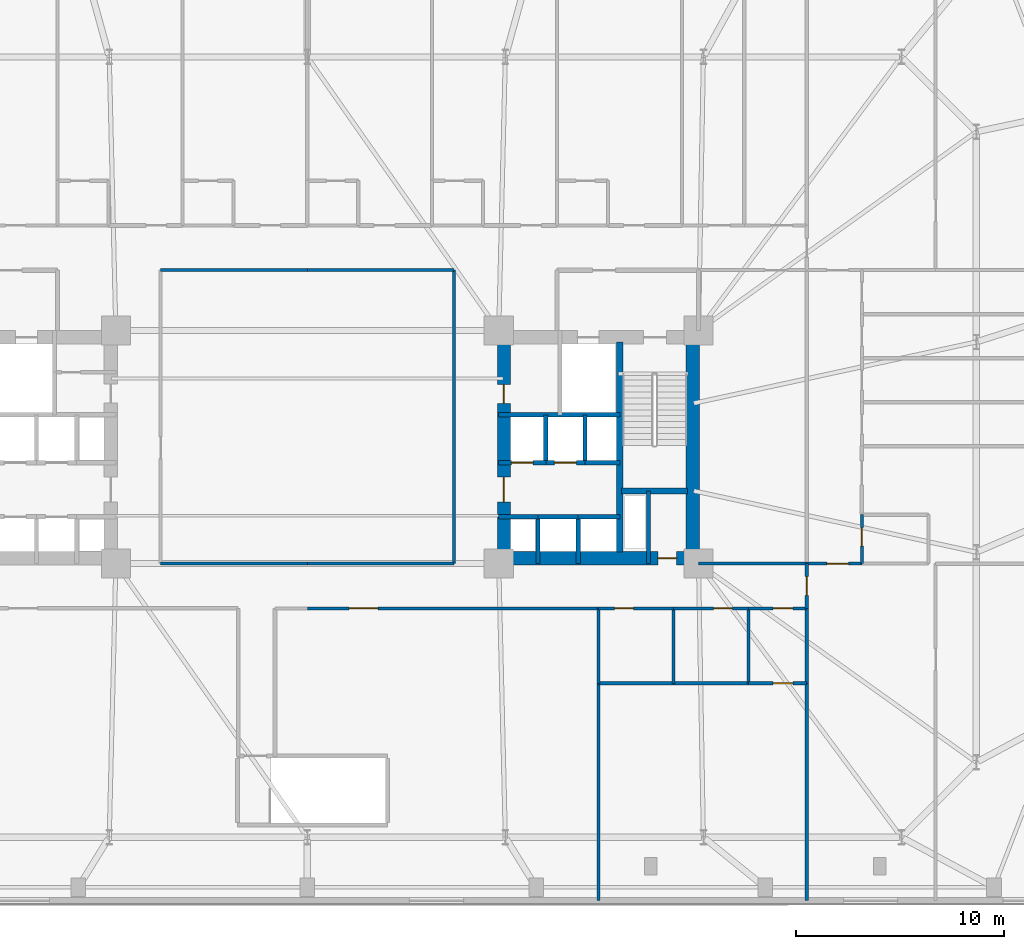
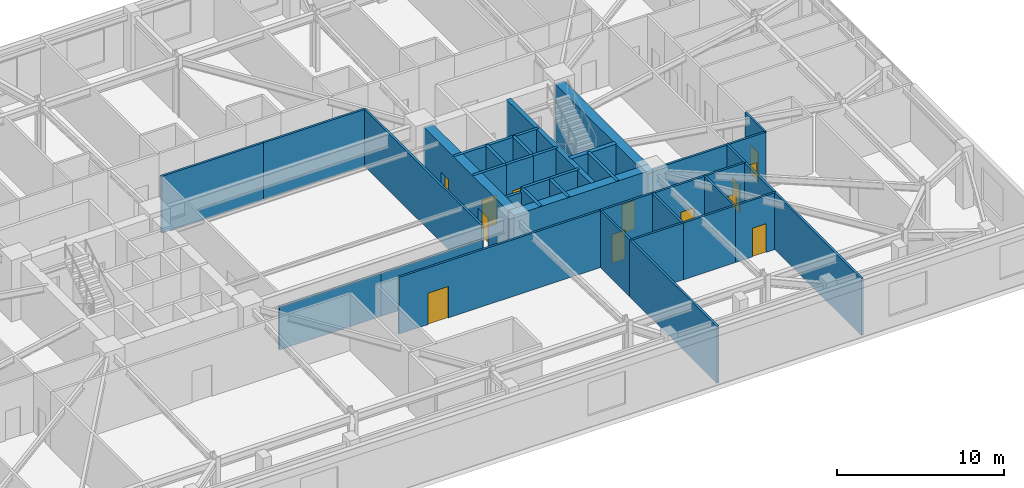
# One storey, part 13 of 21: 39 walls, 13 doors, 13 openings.
"""IFC4 building model written with IfcOpenShell, lengths in metres."""

from ifc_helpers import new_model, si_unit, direction, frame, frame_2d, origin, place, context, subcontext, project, spatial, rectangle, extrude, material, layer, layer_set, type_object, element, fill, save


model = new_model("IFC4")

# Units and contexts
model_context = context("Model", 3, precision=1e-05, world=origin(), true_north=direction((0.0, 1.0)))
body_context = subcontext(model_context, "Body", "Model", "MODEL_VIEW")
ifc_project = project(units=[si_unit("LENGTHUNIT", "METRE"), si_unit("AREAUNIT", "SQUARE_METRE"), si_unit("VOLUMEUNIT", "CUBIC_METRE"), si_unit("PLANEANGLEUNIT", "RADIAN"), si_unit("MASSUNIT", "GRAM", prefix="KILO")], contexts=[model_context])

# Site, building, storey
site_placement = place(None, origin())
site = spatial("IfcSite", under=ifc_project, at=site_placement, CompositionType="ELEMENT")
building_placement = place(site_placement, origin())
building = spatial("IfcBuilding", under=site, at=building_placement, Name="Qobustan Lattice House", CompositionType="ELEMENT")
storey_placement = place(building_placement, frame((0.0, 0.0, 22.5)))
storey = spatial("IfcBuildingStorey", under=building, at=storey_placement, Name="L05", CompositionType="ELEMENT", Elevation=22.5)

# Wall, opening, door
ifc_material_1 = material(Name="Concrete C60/75", Category="concrete")
ifc_layer_1 = layer(ifc_material_1, 0.639892578125)
ifc_layer_set_1 = layer_set([ifc_layer_1], Name="Concrete C60/75")
wall_type_1 = type_object("IfcWallType", Name="WAL-CORE-640", PredefinedType="SHEAR", material=ifc_layer_set_1)
wall_1_placement = place(storey_placement, frame((9.199951171875, -5.35009765625, 0.0), z_axis=(0.0, 0.0, 1.0), x_axis=(1.0, 0.0, 0.0)))
wall_1 = element("IfcWall", 1, at=wall_1_placement, inside=storey, type_object=wall_type_1, Name="L05 split-core shear wall CE-S", PredefinedType="SHEAR", context=body_context, shape_type="SweptSolid", body=[
    extrude(rectangle(XDim=9.60009765625, YDim=0.639892578125, at=frame_2d((4.800048828125, 0.0))), origin(), (0.0, 0.0, 1.0), 4.159912109375),
])
opening_1_placement = place(wall_1_placement, frame((7.64990234375, 0.0, 0.0)))
opening_1 = element("IfcOpeningElement", 2, at=opening_1_placement, cuts=wall_1, Name="Opening RD-01", PredefinedType="OPENING", context=body_context, shape_type="SweptSolid", body=[
    extrude(rectangle(XDim=0.89990234375, YDim=2.10009765625, at=frame_2d((0.449951171875, 1.050048828125))), frame((0.0, 0.329833984375, 0.0), z_axis=(0.0, -1.0, 0.0), x_axis=(1.0, 0.0, 0.0)), (0.0, 0.0, 1.0), 0.659912109375),
])
ifc_material_2 = material(Name="Persian walnut timber and steel frame door", Category="steel")
door_type_1 = type_object("IfcDoorType", Name="DOR-RISER-FD-900x2100", OperationType="NOTDEFINED", PredefinedType="DOOR", material=ifc_material_2)
door_1_placement = place(opening_1_placement, origin())
door_1 = element("IfcDoor", 3, at=door_1_placement, inside=storey, type_object=door_type_1, Name="L05 core service riser access door E", OperationType="SINGLE_SWING_RIGHT", OverallHeight=2.10009765625, OverallWidth=0.89990234375, PredefinedType="DOOR", context=body_context, shape_type="SweptSolid", body=[
    extrude(rectangle(XDim=0.89990234375, YDim=2.10009765625, at=frame_2d((0.449951171875, 1.050048828125))), frame((0.0, 0.02490234375, 0.0), z_axis=(0.0, -1.0, 0.0), x_axis=(1.0, 0.0, 0.0)), (0.0, 0.0, 1.0), 0.050048828125),
])
fill(opening_1, door_1)

# Wall, openings, doors
wall_2_placement = place(storey_placement, frame((9.449951171875, -5.050048828125, 0.0), z_axis=(0.0, 0.0, 1.0), x_axis=(0.0, 1.0, 0.0)))
wall_2 = element("IfcWall", 4, at=wall_2_placement, inside=storey, type_object=wall_type_1, Name="L05 split-core shear wall CE-W", PredefinedType="SHEAR", context=body_context, shape_type="SweptSolid", body=[
    extrude(rectangle(XDim=10.10009765625, YDim=0.639892578125, at=frame_2d((5.050048828125, 0.0))), origin(), (0.0, 0.0, 1.0), 4.159912109375),
])
opening_2_placement = place(wall_2_placement, frame((7.14990234375, 0.0, 0.0)))
opening_2 = element("IfcOpeningElement", 5, at=opening_2_placement, cuts=wall_2, Name="Opening RD-01", PredefinedType="OPENING", context=body_context, shape_type="SweptSolid", body=[
    extrude(rectangle(XDim=0.89990234375, YDim=2.10009765625, at=frame_2d((0.449951171875, 1.050048828125))), frame((0.0, 0.329833984375, 0.0), z_axis=(0.0, -1.0, 0.0), x_axis=(1.0, 0.0, 0.0)), (0.0, 0.0, 1.0), 0.659912109375),
])
opening_3_placement = place(wall_2_placement, frame((2.39990234375, 0.0, 0.0)))
opening_3 = element("IfcOpeningElement", 6, at=opening_3_placement, cuts=wall_2, Name="Opening FD-01", PredefinedType="OPENING", context=body_context, shape_type="SweptSolid", body=[
    extrude(rectangle(XDim=1.199951171875, YDim=2.14990234375, at=frame_2d((0.60009765625, 1.074951171875))), frame((0.0, 0.329833984375, 0.0), z_axis=(0.0, -1.0, 0.0), x_axis=(1.0, 0.0, 0.0)), (0.0, 0.0, 1.0), 0.659912109375),
])
ifc_material_3 = material(Name="Persian walnut timber and steel frame door", Category="steel")
door_type_2 = type_object("IfcDoorType", Name="DOR-LOBBY-FD-1200x2150", OperationType="NOTDEFINED", PredefinedType="DOOR", material=ifc_material_3)
door_2_placement = place(opening_3_placement, origin())
door_2 = element("IfcDoor", 7, at=door_2_placement, inside=storey, type_object=door_type_2, Name="L05 East passenger lift lobby fire door", OperationType="SINGLE_SWING_RIGHT", OverallHeight=2.14990234375, OverallWidth=1.199951171875, PredefinedType="DOOR", context=body_context, shape_type="SweptSolid", body=[
    extrude(rectangle(XDim=1.199951171875, YDim=2.14990234375, at=frame_2d((0.60009765625, 1.074951171875))), frame((0.0, 0.02490234375, 0.0), z_axis=(0.0, -1.0, 0.0), x_axis=(1.0, 0.0, 0.0)), (0.0, 0.0, 1.0), 0.050048828125),
])
fill(opening_3, door_2)
door_3_placement = place(opening_2_placement, origin())
door_3 = element("IfcDoor", 8, at=door_3_placement, inside=storey, type_object=door_type_1, Name="L05 Housekeeping linen store fire door", OperationType="SINGLE_SWING_LEFT", OverallHeight=2.10009765625, OverallWidth=0.89990234375, PredefinedType="DOOR", context=body_context, shape_type="SweptSolid", body=[
    extrude(rectangle(XDim=0.89990234375, YDim=2.10009765625, at=frame_2d((0.449951171875, 1.050048828125))), frame((0.0, 0.02490234375, 0.0), z_axis=(0.0, -1.0, 0.0), x_axis=(1.0, 0.0, 0.0)), (0.0, 0.0, 1.0), 0.050048828125),
])
fill(opening_2, door_3)

# Walls
wall_3_placement = place(storey_placement, frame((18.530029296875, -5.050048828125, 0.0), z_axis=(0.0, 0.0, 1.0), x_axis=(0.0, 1.0, 0.0)))
element("IfcWall", 9, at=wall_3_placement, inside=storey, type_object=wall_type_1, Name="L05 split-core shear wall CE-E", PredefinedType="SHEAR", context=body_context, shape_type="SweptSolid", body=[
    extrude(rectangle(XDim=10.10009765625, YDim=0.639892578125, at=frame_2d((5.050048828125, 0.0))), origin(), (0.0, 0.0, 1.0), 4.159912109375),
])
ifc_material_4 = material(Name="Concrete C50/60", Category="concrete")
ifc_layer_2 = layer(ifc_material_4, 0.280029296875)
ifc_layer_set_2 = layer_set([ifc_layer_2], Name="Concrete C50/60")
wall_type_2 = type_object("IfcWallType", Name="WAL-CORE-SPINE-280", PredefinedType="SHEAR", material=ifc_layer_set_2)
wall_4_placement = place(storey_placement, frame((15.02001953125, -5.050048828125, 0.0), z_axis=(0.0, 0.0, 1.0), x_axis=(0.0, 1.0, 0.0)))
element("IfcWall", 10, at=wall_4_placement, inside=storey, type_object=wall_type_2, Name="L05 split-core shear wall CE-M", PredefinedType="SHEAR", context=body_context, shape_type="SweptSolid", body=[
    extrude(rectangle(XDim=10.10009765625, YDim=0.300048828125, at=frame_2d((5.050048828125, 0.0))), origin(), (0.0, 0.0, 1.0), 4.159912109375),
])
wall_5_placement = place(storey_placement, frame((15.10009765625, -2.110107421875, 0.0), z_axis=(0.0, 0.0, 1.0), x_axis=(1.0, 0.0, 0.0)))
element("IfcWall", 11, at=wall_5_placement, inside=storey, type_object=wall_type_2, Name="L05 split-core shear wall CE-ST", PredefinedType="SHEAR", context=body_context, shape_type="SweptSolid", body=[
    extrude(rectangle(XDim=3.179931640625, YDim=0.300048828125, at=frame_2d((1.58984375, 0.0))), origin(), (0.0, 0.0, 1.0), 4.159912109375),
])
ifc_material_5 = material(Name="Acoustic twin-stud gypsum partition", Category="gypsum")
ifc_layer_3 = layer(ifc_material_5, 0.14990234375)
ifc_layer_set_3 = layer_set([ifc_layer_3], Name="Acoustic twin-stud gypsum partition")
wall_type_3 = type_object("IfcWallType", Name="WAL-PART-150", PredefinedType="PARTITIONING", material=ifc_layer_set_3)
for number, where, z_axis, x_axis, name in (
    (12, (0.0, 8.5, 0.0), (0.0, 0.0, 1.0), (-1.0, 0.0, 0.0), "L05 interior partition 47"),
    (13, (7.050048828125, 8.5, 0.0), (0.0, 0.0, 1.0), (-1.0, 0.0, 0.0), "L05 interior partition 58"),
):
    element("IfcWall", number, at=place(storey_placement, frame(where, z_axis=z_axis, x_axis=x_axis)), inside=storey, type_object=wall_type_3, Name=name, PredefinedType="PARTITIONING", context=body_context, shape_type="SweptSolid", body=[
        extrude(rectangle(XDim=7.050048828125, YDim=0.14990234375, at=frame_2d((3.52490234375, 0.0))), origin(), (0.0, 0.0, 1.0), 4.159912109375),
    ])
wall_6_placement = place(storey_placement, frame((-7.050048828125, -5.60009765625, 0.0), z_axis=(0.0, 0.0, 1.0), x_axis=(1.0, 0.0, 0.0)))
element("IfcWall", 14, at=wall_6_placement, inside=storey, type_object=wall_type_3, Name="L05 interior partition 63", PredefinedType="PARTITIONING", context=body_context, shape_type="SweptSolid", body=[
    extrude(rectangle(XDim=7.050048828125, YDim=0.14990234375, at=frame_2d((3.52490234375, 0.0))), origin(), (0.0, 0.0, 1.0), 3.136962890625),
])

# Wall, opening, door
wall_7_placement = place(storey_placement, frame((24.0, -5.60009765625, 0.0), z_axis=(0.0, 0.0, 1.0), x_axis=(0.0, -1.0, 0.0)))
wall_7 = element("IfcWall", 15, at=wall_7_placement, inside=storey, type_object=wall_type_3, Name="L05 interior partition 64", PredefinedType="PARTITIONING", context=body_context, shape_type="SweptSolid", body=[
    extrude(rectangle(XDim=2.14990234375, YDim=0.14990234375, at=frame_2d((1.074951171875, 0.0))), origin(), (0.0, 0.0, 1.0), 4.159912109375),
])
opening_4_placement = place(wall_7_placement, frame((0.625, 0.0, 0.0)))
opening_4 = element("IfcOpeningElement", 16, at=opening_4_placement, cuts=wall_7, Name="Opening WD-01", PredefinedType="OPENING", context=body_context, shape_type="SweptSolid", body=[
    extrude(rectangle(XDim=0.89990234375, YDim=2.10009765625, at=frame_2d((0.449951171875, 1.050048828125))), frame((0.0, 0.0849609375, 0.0), z_axis=(0.0, -1.0, 0.0), x_axis=(1.0, 0.0, 0.0)), (0.0, 0.0, 1.0), 0.169921875),
])
ifc_material_6 = material(Name="Persian walnut timber and steel frame door", Category="steel")
door_type_3 = type_object("IfcDoorType", Name="DOR-WET-900x2100", OperationType="NOTDEFINED", PredefinedType="DOOR", material=ifc_material_6)
door_4_placement = place(opening_4_placement, origin())
door_4 = element("IfcDoor", 17, at=door_4_placement, inside=storey, type_object=door_type_3, Name="L05 South-east podium corridor to Reading seminar room L05ES door", OperationType="SINGLE_SWING_RIGHT", OverallHeight=2.10009765625, OverallWidth=0.89990234375, PredefinedType="DOOR", context=body_context, shape_type="SweptSolid", body=[
    extrude(rectangle(XDim=0.89990234375, YDim=2.10009765625, at=frame_2d((0.449951171875, 1.050048828125))), frame((0.0, 0.02490234375, 0.0), z_axis=(0.0, -1.0, 0.0), x_axis=(1.0, 0.0, 0.0)), (0.0, 0.0, 1.0), 0.050048828125),
])
fill(opening_4, door_4)

# Wall
wall_8_placement = place(storey_placement, frame((18.800048828125, -5.60009765625, 0.0), z_axis=(0.0, 0.0, 1.0), x_axis=(1.0, 0.0, 0.0)))
element("IfcWall", 18, at=wall_8_placement, inside=storey, type_object=wall_type_3, Name="L05 interior partition 65", PredefinedType="PARTITIONING", context=body_context, shape_type="SweptSolid", body=[
    extrude(rectangle(XDim=5.199951171875, YDim=0.14990234375, at=frame_2d((2.60009765625, 0.0))), origin(), (0.0, 0.0, 1.0), 4.159912109375),
])

# Wall, opening, door
wall_9_placement = place(storey_placement, frame((14.0, -7.75, 0.0), z_axis=(0.0, 0.0, 1.0), x_axis=(-1.0, 0.0, 0.0)))
wall_9 = element("IfcWall", 19, at=wall_9_placement, inside=storey, type_object=wall_type_3, Name="L05 interior partition 66", PredefinedType="PARTITIONING", context=body_context, shape_type="SweptSolid", body=[
    extrude(rectangle(XDim=14.0, YDim=0.14990234375, at=frame_2d((7.0, 0.0))), origin(), (0.0, 0.0, 1.0), 4.159912109375),
])
opening_5_placement = place(wall_9_placement, frame((10.590087890625, 0.0, 0.0)))
opening_5 = element("IfcOpeningElement", 20, at=opening_5_placement, cuts=wall_9, Name="Opening ID-04", PredefinedType="OPENING", context=body_context, shape_type="SweptSolid", body=[
    extrude(rectangle(XDim=1.39990234375, YDim=2.300048828125, at=frame_2d((0.699951171875, 1.14990234375))), frame((0.0, 0.0849609375, 0.0), z_axis=(0.0, -1.0, 0.0), x_axis=(1.0, 0.0, 0.0)), (0.0, 0.0, 1.0), 0.169921875),
])
ifc_material_7 = material(Name="Persian walnut timber and steel frame door", Category="steel")
door_type_4 = type_object("IfcDoorType", Name="DOR-POD-1400x2300", OperationType="NOTDEFINED", PredefinedType="DOOR", material=ifc_material_7)
door_5_placement = place(opening_5_placement, origin())
door_5 = element("IfcDoor", 21, at=door_5_placement, inside=storey, type_object=door_type_4, Name="L05 South-east podium corridor to Pre-show ticket lounge door", OperationType="SINGLE_SWING_LEFT", OverallHeight=2.300048828125, OverallWidth=1.39990234375, PredefinedType="DOOR", context=body_context, shape_type="SweptSolid", body=[
    extrude(rectangle(XDim=1.39990234375, YDim=2.300048828125, at=frame_2d((0.699951171875, 1.14990234375))), frame((0.0, 0.02490234375, 0.0), z_axis=(0.0, -1.0, 0.0), x_axis=(1.0, 0.0, 0.0)), (0.0, 0.0, 1.0), 0.050048828125),
])
fill(opening_5, door_5)

wall_10_placement = place(storey_placement, frame((24.0, -7.75, 0.0), z_axis=(0.0, 0.0, 1.0), x_axis=(-1.0, 0.0, 0.0)))
wall_10 = element("IfcWall", 22, at=wall_10_placement, inside=storey, type_object=wall_type_3, Name="L05 interior partition 69", PredefinedType="PARTITIONING", context=body_context, shape_type="SweptSolid", body=[
    extrude(rectangle(XDim=2.800048828125, YDim=0.14990234375, at=frame_2d((1.39990234375, 0.0))), origin(), (0.0, 0.0, 1.0), 4.159912109375),
])
opening_6_placement = place(wall_10_placement, frame((0.666259765625, 0.0, 0.0)))
opening_6 = element("IfcOpeningElement", 23, at=opening_6_placement, cuts=wall_10, Name="Opening ID-01", PredefinedType="OPENING", context=body_context, shape_type="SweptSolid", body=[
    extrude(rectangle(XDim=0.949951171875, YDim=2.10009765625, at=frame_2d((0.47509765625, 1.050048828125))), frame((0.0, 0.0849609375, 0.0), z_axis=(0.0, -1.0, 0.0), x_axis=(1.0, 0.0, 0.0)), (0.0, 0.0, 1.0), 0.169921875),
])
ifc_material_8 = material(Name="Persian walnut timber and steel frame door", Category="steel")
door_type_5 = type_object("IfcDoorType", Name="DOR-ROOM-950x2100", OperationType="NOTDEFINED", PredefinedType="DOOR", material=ifc_material_8)
door_6_placement = place(opening_6_placement, origin())
door_6 = element("IfcDoor", 24, at=door_6_placement, inside=storey, type_object=door_type_5, Name="L05 South-east podium corridor to Janitor supply store door", OperationType="SINGLE_SWING_RIGHT", OverallHeight=2.10009765625, OverallWidth=0.949951171875, PredefinedType="DOOR", context=body_context, shape_type="SweptSolid", body=[
    extrude(rectangle(XDim=0.949951171875, YDim=2.10009765625, at=frame_2d((0.47509765625, 1.050048828125))), frame((0.0, 0.02490234375, 0.0), z_axis=(0.0, -1.0, 0.0), x_axis=(1.0, 0.0, 0.0)), (0.0, 0.0, 1.0), 0.050048828125),
])
fill(opening_6, door_6)

# Walls
wall_11_placement = place(storey_placement, frame((0.0, -5.60009765625, 0.0), z_axis=(0.0, 0.0, 1.0), x_axis=(1.0, 0.0, 0.0)))
element("IfcWall", 25, at=wall_11_placement, inside=storey, type_object=wall_type_3, Name="L05 interior partition 70", PredefinedType="PARTITIONING", context=body_context, shape_type="SweptSolid", body=[
    extrude(rectangle(XDim=7.050048828125, YDim=0.14990234375, at=frame_2d((3.52490234375, 0.0))), origin(), (0.0, 0.0, 1.0), 3.136962890625),
])
wall_12_placement = place(storey_placement, frame((7.050048828125, -5.60009765625, 0.0), z_axis=(0.0, 0.0, 1.0), x_axis=(0.0, 1.0, 0.0)))
element("IfcWall", 26, at=wall_12_placement, inside=storey, type_object=wall_type_3, Name="L05 interior partition 72", PredefinedType="PARTITIONING", context=body_context, shape_type="SweptSolid", body=[
    extrude(rectangle(XDim=14.10009765625, YDim=0.14990234375, at=frame_2d((7.050048828125, 0.0))), origin(), (0.0, 0.0, 1.0), 4.159912109375),
])

# Wall, opening, door
wall_13_placement = place(storey_placement, frame((26.64990234375, -5.60009765625, 0.0), z_axis=(0.0, 0.0, 1.0), x_axis=(-1.0, 0.0, 0.0)))
wall_13 = element("IfcWall", 27, at=wall_13_placement, inside=storey, type_object=wall_type_3, Name="L05 interior partition 99", PredefinedType="PARTITIONING", context=body_context, shape_type="SweptSolid", body=[
    extrude(rectangle(XDim=2.64990234375, YDim=0.14990234375, at=frame_2d((1.324951171875, 0.0))), origin(), (0.0, 0.0, 1.0), 4.159912109375),
])
opening_7_placement = place(wall_13_placement, frame((0.635009765625, 0.0, 0.0)))
opening_7 = element("IfcOpeningElement", 28, at=opening_7_placement, cuts=wall_13, Name="Opening ID-02", PredefinedType="OPENING", context=body_context, shape_type="SweptSolid", body=[
    extrude(rectangle(XDim=1.050048828125, YDim=2.14990234375, at=frame_2d((0.52490234375, 1.074951171875))), frame((0.0, 0.0849609375, 0.0), z_axis=(0.0, -1.0, 0.0), x_axis=(1.0, 0.0, 0.0)), (0.0, 0.0, 1.0), 0.169921875),
])
ifc_material_9 = material(Name="Persian walnut timber and steel frame door", Category="steel")
door_type_6 = type_object("IfcDoorType", Name="DOR-STUDY-1050x2150", OperationType="NOTDEFINED", PredefinedType="DOOR", material=ifc_material_9)
door_7_placement = place(opening_7_placement, origin())
door_7 = element("IfcDoor", 29, at=door_7_placement, inside=storey, type_object=door_type_6, Name="L05 Residence entrance hall L05E to Reading seminar room L05ES door", OperationType="SINGLE_SWING_LEFT", OverallHeight=2.14990234375, OverallWidth=1.050048828125, PredefinedType="DOOR", context=body_context, shape_type="SweptSolid", body=[
    extrude(rectangle(XDim=1.050048828125, YDim=2.14990234375, at=frame_2d((0.52490234375, 1.074951171875))), frame((0.0, 0.02490234375, 0.0), z_axis=(0.0, -1.0, 0.0), x_axis=(1.0, 0.0, 0.0)), (0.0, 0.0, 1.0), 0.050048828125),
])
fill(opening_7, door_7)

# Walls
wall_14_placement = place(storey_placement, frame((24.0, -11.35009765625, 0.0), z_axis=(0.0, 0.0, 1.0), x_axis=(0.0, 1.0, 0.0)))
element("IfcWall", 30, at=wall_14_placement, inside=storey, type_object=wall_type_3, Name="L05 interior partition 113", PredefinedType="PARTITIONING", context=body_context, shape_type="SweptSolid", body=[
    extrude(rectangle(XDim=3.60009765625, YDim=0.14990234375, at=frame_2d((1.800048828125, 0.0))), origin(), (0.0, 0.0, 1.0), 4.159912109375),
])
for number, where, z_axis, x_axis, name in (
    (31, (24.0, -21.800048828125, 0.0), (0.0, 0.0, 1.0), (0.0, 1.0, 0.0), "L05 interior partition 114"),
    (32, (14.0, -11.35009765625, 0.0), (0.0, 0.0, 1.0), (0.0, -1.0, 0.0), "L05 interior partition 148"),
):
    element("IfcWall", number, at=place(storey_placement, frame(where, z_axis=z_axis, x_axis=x_axis)), inside=storey, type_object=wall_type_3, Name=name, PredefinedType="PARTITIONING", context=body_context, shape_type="SweptSolid", body=[
        extrude(rectangle(XDim=10.449951171875, YDim=0.14990234375, at=frame_2d((5.22509765625, 0.0))), origin(), (0.0, 0.0, 1.0), 4.159912109375),
    ])

# Wall, opening, door
wall_15_placement = place(storey_placement, frame((24.0, -11.35009765625, 0.0), z_axis=(0.0, 0.0, 1.0), x_axis=(-1.0, 0.0, 0.0)))
wall_15 = element("IfcWall", 33, at=wall_15_placement, inside=storey, type_object=wall_type_3, Name="L05 interior partition 153", PredefinedType="PARTITIONING", context=body_context, shape_type="SweptSolid", body=[
    extrude(rectangle(XDim=2.800048828125, YDim=0.14990234375, at=frame_2d((1.39990234375, 0.0))), origin(), (0.0, 0.0, 1.0), 4.159912109375),
])
opening_8_placement = place(wall_15_placement, frame((0.666259765625, 0.0, 0.0)))
opening_8 = element("IfcOpeningElement", 34, at=opening_8_placement, cuts=wall_15, Name="Opening ID-01", PredefinedType="OPENING", context=body_context, shape_type="SweptSolid", body=[
    extrude(rectangle(XDim=0.949951171875, YDim=2.10009765625, at=frame_2d((0.47509765625, 1.050048828125))), frame((0.0, 0.0849609375, 0.0), z_axis=(0.0, -1.0, 0.0), x_axis=(1.0, 0.0, 0.0)), (0.0, 0.0, 1.0), 0.169921875),
])
door_8_placement = place(opening_8_placement, origin())
door_8 = element("IfcDoor", 35, at=door_8_placement, inside=storey, type_object=door_type_5, Name="L05 Janitor supply store to Equipment and archive store door", OperationType="SINGLE_SWING_LEFT", OverallHeight=2.10009765625, OverallWidth=0.949951171875, PredefinedType="DOOR", context=body_context, shape_type="SweptSolid", body=[
    extrude(rectangle(XDim=0.949951171875, YDim=2.10009765625, at=frame_2d((0.47509765625, 1.050048828125))), frame((0.0, 0.02490234375, 0.0), z_axis=(0.0, -1.0, 0.0), x_axis=(1.0, 0.0, 0.0)), (0.0, 0.0, 1.0), 0.050048828125),
])
fill(opening_8, door_8)

# Walls
ifc_material_10 = material(Name="Concrete C40/50", Category="concrete")
ifc_layer_4 = layer(ifc_material_10, 0.199951171875)
ifc_layer_set_4 = layer_set([ifc_layer_4], Name="Concrete C40/50")
wall_type_4 = type_object("IfcWallType", Name="WAL-SHAFT-200", PredefinedType="PARTITIONING", material=ifc_layer_set_4)
wall_16_placement = place(storey_placement, frame((16.39990234375, -2.110107421875, 0.0), z_axis=(0.0, 0.0, 1.0), x_axis=(0.0, -1.0, 0.0)))
element("IfcWall", 36, at=wall_16_placement, inside=storey, type_object=wall_type_4, Name="L05 interior partition 20", PredefinedType="PARTITIONING", context=body_context, shape_type="SweptSolid", body=[
    extrude(rectangle(XDim=3.489990234375, YDim=0.199951171875, at=frame_2d((1.7451171875, 0.0))), origin(), (0.0, 0.0, 1.0), 4.159912109375),
])
wall_17_placement = place(storey_placement, frame((9.199951171875, -3.35009765625, 0.0), z_axis=(0.0, 0.0, 1.0), x_axis=(1.0, 0.0, 0.0)))
element("IfcWall", 37, at=wall_17_placement, inside=storey, type_object=wall_type_4, Name="L05 interior partition 26", PredefinedType="PARTITIONING", context=body_context, shape_type="SweptSolid", body=[
    extrude(rectangle(XDim=1.880126953125, YDim=0.199951171875, at=frame_2d((0.93994140625, 0.0))), origin(), (0.0, 0.0, 1.0), 3.875),
])
wall_18_placement = place(storey_placement, frame((11.080078125, -3.35009765625, 0.0), z_axis=(0.0, 0.0, 1.0), x_axis=(1.0, 0.0, 0.0)))
element("IfcWall", 38, at=wall_18_placement, inside=storey, type_object=wall_type_4, Name="L05 interior partition 27", PredefinedType="PARTITIONING", context=body_context, shape_type="SweptSolid", body=[
    extrude(rectangle(XDim=1.93994140625, YDim=0.199951171875, at=frame_2d((0.969970703125, 0.0))), origin(), (0.0, 0.0, 1.0), 4.159912109375),
])
wall_19_placement = place(storey_placement, frame((13.02001953125, -3.35009765625, 0.0), z_axis=(0.0, 0.0, 1.0), x_axis=(1.0, 0.0, 0.0)))
element("IfcWall", 39, at=wall_19_placement, inside=storey, type_object=wall_type_4, Name="L05 interior partition 28", PredefinedType="PARTITIONING", context=body_context, shape_type="SweptSolid", body=[
    extrude(rectangle(XDim=2.0, YDim=0.199951171875, at=frame_2d((1.0, 0.0))), origin(), (0.0, 0.0, 1.0), 4.159912109375),
])

# Wall, opening, door
wall_20_placement = place(storey_placement, frame((11.4599609375, -0.75, 0.0), z_axis=(0.0, 0.0, 1.0), x_axis=(-1.0, 0.0, 0.0)))
wall_20 = element("IfcWall", 40, at=wall_20_placement, inside=storey, type_object=wall_type_4, Name="L05 interior partition 29", PredefinedType="PARTITIONING", context=body_context, shape_type="SweptSolid", body=[
    extrude(rectangle(XDim=2.260009765625, YDim=0.199951171875, at=frame_2d((1.1298828125, 0.0))), origin(), (0.0, 0.0, 1.0), 4.159912109375),
])
opening_9_placement = place(wall_20_placement, frame((0.60498046875, 0.0, 0.0)))
opening_9 = element("IfcOpeningElement", 41, at=opening_9_placement, cuts=wall_20, Name="Opening LD-01", PredefinedType="OPENING", context=body_context, shape_type="SweptSolid", body=[
    extrude(rectangle(XDim=1.050048828125, YDim=2.10009765625, at=frame_2d((0.52490234375, 1.050048828125))), frame((0.0, 0.10986328125, 0.0), z_axis=(0.0, -1.0, 0.0), x_axis=(1.0, 0.0, 0.0)), (0.0, 0.0, 1.0), 0.219970703125),
])
ifc_material_11 = material(Name="Persian walnut timber and steel frame door", Category="steel")
door_type_7 = type_object("IfcDoorType", Name="DOR-LIFT-LD-1050x2100", OperationType="NOTDEFINED", PredefinedType="DOOR", material=ifc_material_11)
door_9_placement = place(opening_9_placement, origin())
door_9 = element("IfcDoor", 42, at=door_9_placement, inside=storey, type_object=door_type_7, Name="L05 lift landing door", OperationType="DOUBLE_DOOR_SLIDING", OverallHeight=2.10009765625, OverallWidth=1.050048828125, PredefinedType="DOOR", context=body_context, shape_type="SweptSolid", body=[
    extrude(rectangle(XDim=1.050048828125, YDim=2.10009765625, at=frame_2d((0.52490234375, 1.050048828125))), frame((0.0, 0.02490234375, 0.0), z_axis=(0.0, -1.0, 0.0), x_axis=(1.0, 0.0, 0.0)), (0.0, 0.0, 1.0), 0.050048828125),
])
fill(opening_9, door_9)

wall_21_placement = place(storey_placement, frame((13.340087890625, -0.75, 0.0), z_axis=(0.0, 0.0, 1.0), x_axis=(-1.0, 0.0, 0.0)))
wall_21 = element("IfcWall", 43, at=wall_21_placement, inside=storey, type_object=wall_type_4, Name="L05 interior partition 30", PredefinedType="PARTITIONING", context=body_context, shape_type="SweptSolid", body=[
    extrude(rectangle(XDim=1.880126953125, YDim=0.199951171875, at=frame_2d((0.93994140625, 0.0))), origin(), (0.0, 0.0, 1.0), 4.159912109375),
])
opening_10_placement = place(wall_21_placement, frame((0.4150390625, 0.0, 0.0)))
opening_10 = element("IfcOpeningElement", 44, at=opening_10_placement, cuts=wall_21, Name="Opening LD-01", PredefinedType="OPENING", context=body_context, shape_type="SweptSolid", body=[
    extrude(rectangle(XDim=1.050048828125, YDim=2.10009765625, at=frame_2d((0.52490234375, 1.050048828125))), frame((0.0, 0.10986328125, 0.0), z_axis=(0.0, -1.0, 0.0), x_axis=(1.0, 0.0, 0.0)), (0.0, 0.0, 1.0), 0.219970703125),
])
door_10_placement = place(opening_10_placement, origin())
door_10 = element("IfcDoor", 45, at=door_10_placement, inside=storey, type_object=door_type_7, Name="L05 lift landing door", OperationType="DOUBLE_DOOR_SLIDING", OverallHeight=2.10009765625, OverallWidth=1.050048828125, PredefinedType="DOOR", context=body_context, shape_type="SweptSolid", body=[
    extrude(rectangle(XDim=1.050048828125, YDim=2.10009765625, at=frame_2d((0.52490234375, 1.050048828125))), frame((0.0, 0.02490234375, 0.0), z_axis=(0.0, -1.0, 0.0), x_axis=(1.0, 0.0, 0.0)), (0.0, 0.0, 1.0), 0.050048828125),
])
fill(opening_10, door_10)

# Walls
wall_22_placement = place(storey_placement, frame((15.02001953125, -0.75, 0.0), z_axis=(0.0, 0.0, 1.0), x_axis=(-1.0, 0.0, 0.0)))
element("IfcWall", 46, at=wall_22_placement, inside=storey, type_object=wall_type_4, Name="L05 interior partition 31", PredefinedType="PARTITIONING", context=body_context, shape_type="SweptSolid", body=[
    extrude(rectangle(XDim=1.679931640625, YDim=0.199951171875, at=frame_2d((0.83984375, 0.0))), origin(), (0.0, 0.0, 1.0), 4.159912109375),
])
for number, where, z_axis, x_axis, name in (
    (47, (11.080078125, -5.60009765625, 0.0), (0.0, 0.0, 1.0), (0.0, 1.0, 0.0), "L05 interior partition 33"),
    (48, (13.02001953125, -5.60009765625, 0.0), (0.0, 0.0, 1.0), (0.0, 1.0, 0.0), "L05 interior partition 34"),
):
    element("IfcWall", number, at=place(storey_placement, frame(where, z_axis=z_axis, x_axis=x_axis)), inside=storey, type_object=wall_type_4, Name=name, PredefinedType="PARTITIONING", context=body_context, shape_type="SweptSolid", body=[
        extrude(rectangle(XDim=2.25, YDim=0.199951171875, at=frame_2d((1.125, 0.0))), origin(), (0.0, 0.0, 1.0), 4.159912109375),
    ])
for number, where, z_axis, x_axis, name in (
    (49, (11.4599609375, -0.75, 0.0), (0.0, 0.0, 1.0), (0.0, 1.0, 0.0), "L05 interior partition 35"),
    (50, (13.340087890625, -0.75, 0.0), (0.0, 0.0, 1.0), (0.0, 1.0, 0.0), "L05 interior partition 36"),
):
    element("IfcWall", number, at=place(storey_placement, frame(where, z_axis=z_axis, x_axis=x_axis)), inside=storey, type_object=wall_type_4, Name=name, PredefinedType="PARTITIONING", context=body_context, shape_type="SweptSolid", body=[
        extrude(rectangle(XDim=2.300048828125, YDim=0.199951171875, at=frame_2d((1.14990234375, 0.0))), origin(), (0.0, 0.0, 1.0), 4.159912109375),
    ])
wall_23_placement = place(storey_placement, frame((9.199951171875, 1.550048828125, 0.0), z_axis=(0.0, 0.0, 1.0), x_axis=(1.0, 0.0, 0.0)))
element("IfcWall", 51, at=wall_23_placement, inside=storey, type_object=wall_type_4, Name="L05 interior partition 155", PredefinedType="PARTITIONING", context=body_context, shape_type="SweptSolid", body=[
    extrude(rectangle(XDim=5.820068359375, YDim=0.199951171875, at=frame_2d((2.91015625, 0.0))), origin(), (0.0, 0.0, 1.0), 4.159912109375),
])

# Wall, opening, door
ifc_material_12 = material(Name="Moisture-resistant acoustic plumbing wall", Category="gypsum")
ifc_layer_5 = layer(ifc_material_12, 0.14990234375)
ifc_layer_set_5 = layer_set([ifc_layer_5], Name="Moisture-resistant acoustic plumbing wall")
wall_type_5 = type_object("IfcWallType", Name="WAL-WET-150", PredefinedType="PLUMBINGWALL", material=ifc_layer_set_5)
wall_24_placement = place(storey_placement, frame((17.60009765625, -7.75, 0.0), z_axis=(0.0, 0.0, 1.0), x_axis=(-1.0, 0.0, 0.0)))
wall_24 = element("IfcWall", 52, at=wall_24_placement, inside=storey, type_object=wall_type_5, Name="L05 interior partition 67", PredefinedType="PLUMBINGWALL", context=body_context, shape_type="SweptSolid", body=[
    extrude(rectangle(XDim=3.60009765625, YDim=0.14990234375, at=frame_2d((1.800048828125, 0.0))), origin(), (0.0, 0.0, 1.0), 4.159912109375),
])
opening_11_placement = place(wall_24_placement, frame((1.927490234375, 0.0, 0.0)))
opening_11 = element("IfcOpeningElement", 53, at=opening_11_placement, cuts=wall_24, Name="Opening WD-01", PredefinedType="OPENING", context=body_context, shape_type="SweptSolid", body=[
    extrude(rectangle(XDim=0.89990234375, YDim=2.10009765625, at=frame_2d((0.449951171875, 1.050048828125))), frame((0.0, 0.0849609375, 0.0), z_axis=(0.0, -1.0, 0.0), x_axis=(1.0, 0.0, 0.0)), (0.0, 0.0, 1.0), 0.169921875),
])
door_11_placement = place(opening_11_placement, origin())
door_11 = element("IfcDoor", 54, at=door_11_placement, inside=storey, type_object=door_type_3, Name="L05 South-east podium corridor to Public WC door", OperationType="SINGLE_SWING_RIGHT", OverallHeight=2.10009765625, OverallWidth=0.89990234375, PredefinedType="DOOR", context=body_context, shape_type="SweptSolid", body=[
    extrude(rectangle(XDim=0.89990234375, YDim=2.10009765625, at=frame_2d((0.449951171875, 1.050048828125))), frame((0.0, 0.02490234375, 0.0), z_axis=(0.0, -1.0, 0.0), x_axis=(1.0, 0.0, 0.0)), (0.0, 0.0, 1.0), 0.050048828125),
])
fill(opening_11, door_11)

wall_25_placement = place(storey_placement, frame((21.199951171875, -7.75, 0.0), z_axis=(0.0, 0.0, 1.0), x_axis=(-1.0, 0.0, 0.0)))
wall_25 = element("IfcWall", 55, at=wall_25_placement, inside=storey, type_object=wall_type_5, Name="L05 interior partition 68", PredefinedType="PLUMBINGWALL", context=body_context, shape_type="SweptSolid", body=[
    extrude(rectangle(XDim=3.599853515625, YDim=0.14990234375, at=frame_2d((1.7998046875, 0.0))), origin(), (0.0, 0.0, 1.0), 4.159912109375),
])
opening_12_placement = place(wall_25_placement, frame((0.7724609375, 0.0, 0.0)))
opening_12 = element("IfcOpeningElement", 56, at=opening_12_placement, cuts=wall_25, Name="Opening WD-01", PredefinedType="OPENING", context=body_context, shape_type="SweptSolid", body=[
    extrude(rectangle(XDim=0.89990234375, YDim=2.10009765625, at=frame_2d((0.449951171875, 1.050048828125))), frame((0.0, 0.0849609375, 0.0), z_axis=(0.0, -1.0, 0.0), x_axis=(1.0, 0.0, 0.0)), (0.0, 0.0, 1.0), 0.169921875),
])
door_12_placement = place(opening_12_placement, origin())
door_12 = element("IfcDoor", 57, at=door_12_placement, inside=storey, type_object=door_type_3, Name="L05 South-east podium corridor to Accessible WC door", OperationType="SINGLE_SWING_LEFT", OverallHeight=2.10009765625, OverallWidth=0.89990234375, PredefinedType="DOOR", context=body_context, shape_type="SweptSolid", body=[
    extrude(rectangle(XDim=0.89990234375, YDim=2.10009765625, at=frame_2d((0.449951171875, 1.050048828125))), frame((0.0, 0.02490234375, 0.0), z_axis=(0.0, -1.0, 0.0), x_axis=(1.0, 0.0, 0.0)), (0.0, 0.0, 1.0), 0.050048828125),
])
fill(opening_12, door_12)

wall_26_placement = place(storey_placement, frame((26.64990234375, -3.25, 0.0), z_axis=(0.0, 0.0, 1.0), x_axis=(0.0, -1.0, 0.0)))
wall_26 = element("IfcWall", 58, at=wall_26_placement, inside=storey, type_object=wall_type_5, Name="L05 interior partition 100", PredefinedType="PLUMBINGWALL", context=body_context, shape_type="SweptSolid", body=[
    extrude(rectangle(XDim=2.35009765625, YDim=0.14990234375, at=frame_2d((1.175048828125, 0.0))), origin(), (0.0, 0.0, 1.0), 4.159912109375),
])
opening_13_placement = place(wall_26_placement, frame((0.6162109375, 0.0, 0.0)))
opening_13 = element("IfcOpeningElement", 59, at=opening_13_placement, cuts=wall_26, Name="Opening WD-01", PredefinedType="OPENING", context=body_context, shape_type="SweptSolid", body=[
    extrude(rectangle(XDim=0.89990234375, YDim=2.10009765625, at=frame_2d((0.449951171875, 1.050048828125))), frame((0.0, 0.0849609375, 0.0), z_axis=(0.0, -1.0, 0.0), x_axis=(1.0, 0.0, 0.0)), (0.0, 0.0, 1.0), 0.169921875),
])
door_13_placement = place(opening_13_placement, origin())
door_13 = element("IfcDoor", 60, at=door_13_placement, inside=storey, type_object=door_type_3, Name="L05 Residence entrance hall L05E to Shared bathroom L05E door", OperationType="SINGLE_SWING_RIGHT", OverallHeight=2.10009765625, OverallWidth=0.89990234375, PredefinedType="DOOR", context=body_context, shape_type="SweptSolid", body=[
    extrude(rectangle(XDim=0.89990234375, YDim=2.10009765625, at=frame_2d((0.449951171875, 1.050048828125))), frame((0.0, 0.02490234375, 0.0), z_axis=(0.0, -1.0, 0.0), x_axis=(1.0, 0.0, 0.0)), (0.0, 0.0, 1.0), 0.050048828125),
])
fill(opening_13, door_13)

# Walls
for number, where, z_axis, x_axis, name in (
    (61, (14.0, -7.75, 0.0), (0.0, 0.0, 1.0), (0.0, -1.0, 0.0), "L05 interior partition 147"),
    (62, (17.60009765625, -7.75, 0.0), (0.0, 0.0, 1.0), (0.0, -1.0, 0.0), "L05 interior partition 149"),
    (63, (17.60009765625, -11.35009765625, 0.0), (0.0, 0.0, 1.0), (-1.0, 0.0, 0.0), "L05 interior partition 150"),
    (64, (21.199951171875, -7.75, 0.0), (0.0, 0.0, 1.0), (0.0, -1.0, 0.0), "L05 interior partition 151"),
):
    element("IfcWall", number, at=place(storey_placement, frame(where, z_axis=z_axis, x_axis=x_axis)), inside=storey, type_object=wall_type_5, Name=name, PredefinedType="PLUMBINGWALL", context=body_context, shape_type="SweptSolid", body=[
        extrude(rectangle(XDim=3.60009765625, YDim=0.14990234375, at=frame_2d((1.800048828125, 0.0))), origin(), (0.0, 0.0, 1.0), 4.159912109375),
    ])
wall_27_placement = place(storey_placement, frame((21.199951171875, -11.35009765625, 0.0), z_axis=(0.0, 0.0, 1.0), x_axis=(-1.0, 0.0, 0.0)))
element("IfcWall", 65, at=wall_27_placement, inside=storey, type_object=wall_type_5, Name="L05 interior partition 152", PredefinedType="PLUMBINGWALL", context=body_context, shape_type="SweptSolid", body=[
    extrude(rectangle(XDim=3.599853515625, YDim=0.14990234375, at=frame_2d((1.7998046875, 0.0))), origin(), (0.0, 0.0, 1.0), 4.159912109375),
])

save(model, "model.ifc")
